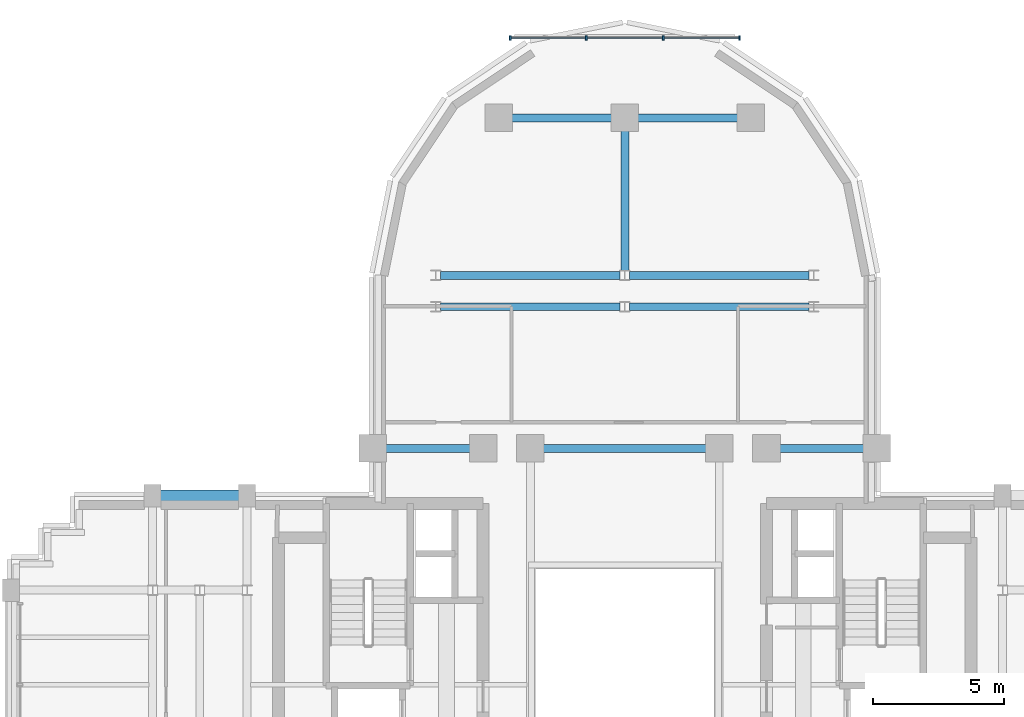
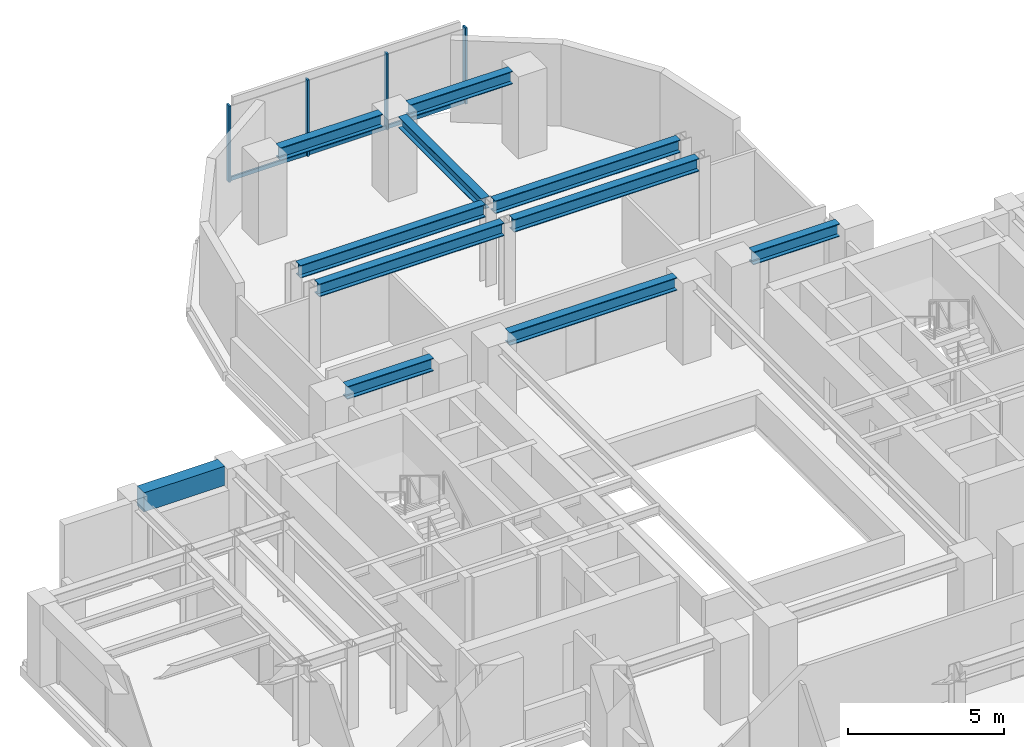
# One storey, part 6 of 13: 11 beams, 7 members, 1 element without a shape of its own.
"""IFC4 building model written with IfcOpenShell, lengths in metres."""

from ifc_helpers import new_model, si_unit, direction, frame, origin, origin_2d, place, context, subcontext, project, spatial, rectangle, i_section, extrude, source, transform, mapped, material, material_profile, profile_set, type_object, element, aggregate, save


model = new_model("IFC4")

# Units and contexts
model_context = context("Model", 3, precision=1e-05, world=origin(), true_north=direction((0.0, 1.0)))
body_context = subcontext(model_context, "Body", "Model", "MODEL_VIEW")
ifc_project = project(units=[si_unit("LENGTHUNIT", "METRE"), si_unit("AREAUNIT", "SQUARE_METRE"), si_unit("VOLUMEUNIT", "CUBIC_METRE"), si_unit("PLANEANGLEUNIT", "RADIAN"), si_unit("MASSUNIT", "GRAM", prefix="KILO")], contexts=[model_context])

# Site, building, storey
site_placement = place(None, origin())
site = spatial("IfcSite", under=ifc_project, at=site_placement, CompositionType="ELEMENT")
building_placement = place(site_placement, origin())
building = spatial("IfcBuilding", under=site, at=building_placement, Name="Keilestroom Media Tower", CompositionType="ELEMENT")
storey_placement = place(building_placement, frame((0.0, 0.0, 138.0)))
storey = spatial("IfcBuildingStorey", under=building, at=storey_placement, Name="L37", CompositionType="ELEMENT", Elevation=138.0)

# Beams
ifc_material_1 = material(Name="Steel S355", Category="steel")
ifc_material_profile_1 = material_profile(ifc_material_1, i_section(OverallWidth=0.300048828125, OverallDepth=0.5, WebThickness=0.012451171875, FlangeThickness=0.028076171875, at=origin_2d()), Name="HEB 500")
ifc_profile_set_1 = profile_set([ifc_material_profile_1], Name="Steel S355")
beam_type_1 = type_object("IfcBeamType", Name="Primary-Structural-Girder-HEB-500", PredefinedType="BEAM", material=ifc_profile_set_1)
shared_shape_1 = source(origin(), body_context, "Body", "SweptSolid", [
    extrude(i_section(OverallWidth=0.300048828125, OverallDepth=0.5, WebThickness=0.012451171875, FlangeThickness=0.028076171875, at=origin_2d()), origin(), (0.0, 0.0, 1.0), 3.7900390625),
])
for number, where, z_axis, x_axis, name in (
    (1, (-4.294921875, 21.60009765625, 2.949951171875), (1.0, 0.0, 0.0), (0.0, 1.0, 0.0), "L37 Beam BG-6 BM-L37-EW-037"),
    (2, (0.5048828125, 21.60009765625, 2.949951171875), (1.0, 0.0, 0.0), (0.0, 1.0, 0.0), "L37 Beam BG-6 BM-L37-EW-038"),
):
    element("IfcBeam", number, at=place(storey_placement, frame(where, z_axis=z_axis, x_axis=x_axis)), inside=storey, type_object=beam_type_1, Name=name, PredefinedType="BEAM", context=body_context, shape_type="MappedRepresentation", body=[
        mapped(shared_shape_1, transform((0.0, 0.0, 0.0), x_axis=(1.0, 0.0, 0.0), y_axis=(0.0, 1.0, 0.0), z_axis=(0.0, 0.0, 1.0), scale=1.0)),
    ])
shared_shape_2 = source(origin(), body_context, "Body", "SweptSolid", [
    extrude(i_section(OverallWidth=0.300048828125, OverallDepth=0.5, WebThickness=0.012451171875, FlangeThickness=0.028076171875, at=origin_2d()), origin(), (0.0, 0.0, 1.0), 6.839111328125),
])
for number, where, z_axis, x_axis, name in (
    (3, (-7.01953125, 14.39990234375, 2.949951171875), (1.0, 0.0, 0.0), (0.0, 1.0, 0.0), "L37 Beam BG-6 BM-L37-EW-033"),
    (4, (0.180419921875, 14.39990234375, 2.949951171875), (1.0, 0.0, 0.0), (0.0, 1.0, 0.0), "L37 Beam BG-6 BM-L37-EW-034"),
    (5, (-7.01953125, 15.60009765625, 2.949951171875), (1.0, 0.0, 0.0), (0.0, 1.0, 0.0), "L37 Beam BG-6 BM-L37-EW-035"),
    (6, (0.180419921875, 15.60009765625, 2.949951171875), (1.0, 0.0, 0.0), (0.0, 1.0, 0.0), "L37 Beam BG-6 BM-L37-EW-036"),
):
    element("IfcBeam", number, at=place(storey_placement, frame(where, z_axis=z_axis, x_axis=x_axis)), inside=storey, type_object=beam_type_1, Name=name, PredefinedType="BEAM", context=body_context, shape_type="MappedRepresentation", body=[
        mapped(shared_shape_2, transform((0.0, 0.0, 0.0), x_axis=(1.0, 0.0, 0.0), y_axis=(0.0, 1.0, 0.0), z_axis=(0.0, 0.0, 1.0), scale=1.0)),
    ])
shared_shape_3 = source(origin(), body_context, "Body", "SweptSolid", [
    extrude(i_section(OverallWidth=0.300048828125, OverallDepth=0.5, WebThickness=0.012451171875, FlangeThickness=0.028076171875, at=origin_2d()), origin(), (0.0, 0.0, 1.0), 3.18994140625),
])
for number, where, z_axis, x_axis, name in (
    (7, (-9.094970703125, 9.0, 2.949951171875), (1.0, 0.0, 0.0), (0.0, 1.0, 0.0), "L37 Beam BG-6 BM-L37-EW-028"),
    (8, (5.905029296875, 9.0, 2.949951171875), (1.0, 0.0, 0.0), (0.0, 1.0, 0.0), "L37 Beam BG-6 BM-L37-EW-032"),
):
    element("IfcBeam", number, at=place(storey_placement, frame(where, z_axis=z_axis, x_axis=x_axis)), inside=storey, type_object=beam_type_1, Name=name, PredefinedType="BEAM", context=body_context, shape_type="MappedRepresentation", body=[
        mapped(shared_shape_3, transform((0.0, 0.0, 0.0), x_axis=(1.0, 0.0, 0.0), y_axis=(0.0, 1.0, 0.0), z_axis=(0.0, 0.0, 1.0), scale=1.0)),
    ])
shared_shape_4 = source(origin(), body_context, "Body", "SweptSolid", [
    extrude(i_section(OverallWidth=0.300048828125, OverallDepth=0.5, WebThickness=0.012451171875, FlangeThickness=0.028076171875, at=origin_2d()), origin(), (0.0, 0.0, 1.0), 6.18994140625),
])
beam_1_placement = place(storey_placement, frame((-3.094970703125, 9.0, 2.949951171875), z_axis=(1.0, 0.0, 0.0), x_axis=(0.0, 1.0, 0.0)))
element("IfcBeam", 9, at=beam_1_placement, inside=storey, type_object=beam_type_1, Name="L37 Beam BG-6 BM-L37-EW-030", PredefinedType="BEAM", context=body_context, shape_type="MappedRepresentation", body=[
    mapped(shared_shape_4, transform((0.0, 0.0, 0.0), x_axis=(1.0, 0.0, 0.0), y_axis=(0.0, 1.0, 0.0), z_axis=(0.0, 0.0, 1.0), scale=1.0)),
])
ifc_material_2 = material(Name="Precast concrete C40/50", Category="concrete")
ifc_material_profile_2 = material_profile(ifc_material_2, rectangle(XDim=0.449951171875, YDim=0.75, at=origin_2d()), Name="PC 450x750")
ifc_profile_set_2 = profile_set([ifc_material_profile_2], Name="Precast concrete C40/50")
beam_type_2 = type_object("IfcBeamType", Name="Perimeter-Spandrel-Beam-PC-450x750", PredefinedType="SPANDREL", material=ifc_profile_set_2)
shared_shape_5 = source(origin(), body_context, "Body", "SweptSolid", [
    extrude(rectangle(XDim=0.449951171875, YDim=0.75, at=origin_2d()), origin(), (0.0, 0.0, 1.0), 2.989990234375),
])
beam_2_placement = place(storey_placement, frame((-17.695068359375, 7.199951171875, 2.824951171875), z_axis=(1.0, 0.0, 0.0), x_axis=(0.0, 1.0, 0.0)))
element("IfcBeam", 10, at=beam_2_placement, inside=storey, type_object=beam_type_2, Name="L37 Beam SPB-1 BM-L37-EW-026", PredefinedType="SPANDREL", context=body_context, shape_type="MappedRepresentation", body=[
    mapped(shared_shape_5, transform((0.0, 0.0, 0.0), x_axis=(1.0, 0.0, 0.0), y_axis=(0.0, 1.0, 0.0), z_axis=(0.0, 0.0, 1.0), scale=1.0)),
])
ifc_material_profile_3 = material_profile(ifc_material_1, i_section(OverallWidth=0.300048828125, OverallDepth=0.43994140625, WebThickness=0.011474609375, FlangeThickness=0.02099609375, at=origin_2d()), Name="HEA 450")
ifc_profile_set_3 = profile_set([ifc_material_profile_3], Name="Steel S355")
beam_type_3 = type_object("IfcBeamType", Name="Primary-Structural-Girder-HEA-450", PredefinedType="BEAM", material=ifc_profile_set_3)
shared_shape_6 = source(origin(), body_context, "Body", "SweptSolid", [
    extrude(i_section(OverallWidth=0.300048828125, OverallDepth=0.43994140625, WebThickness=0.011474609375, FlangeThickness=0.02099609375, at=origin_2d()), origin(), (0.0, 0.0, 1.0), 5.3154296875),
])
beam_3_placement = place(storey_placement, frame((0.0, 15.779541015625, 2.97998046875), z_axis=(0.0, 1.0, 0.0), x_axis=(-1.0, 0.0, 0.0)))
element("IfcBeam", 11, at=beam_3_placement, inside=storey, type_object=beam_type_3, Name="L37 Beam BG-11 BM-L37-NS-055", PredefinedType="BEAM", context=body_context, shape_type="MappedRepresentation", body=[
    mapped(shared_shape_6, transform((0.0, 0.0, 0.0), x_axis=(1.0, 0.0, 0.0), y_axis=(0.0, 1.0, 0.0), z_axis=(0.0, 0.0, 1.0), scale=1.0)),
])

# Curtain wall, members
ifc_material_3 = material(Name="Anodised Aluminium Alloy", Category="aluminium")
curtain_wall_type = type_object("IfcCurtainWallType", Name="Unitised-Curtain-Wall-CW-6", PredefinedType="NOTDEFINED", material=ifc_material_3)
curtain_wall_placement = place(storey_placement, origin())
curtain_wall = element("IfcCurtainWall", 12, at=curtain_wall_placement, inside=storey, type_object=curtain_wall_type, Name="L37 Curtain Wall CW-6 CW-L37-LN-1", PredefinedType="NOTDEFINED")
ifc_material_profile_4 = material_profile(ifc_material_3, rectangle(XDim=0.06494140625, YDim=0.179931640625, at=origin_2d()), Name="ALU MULLION 65x180")
ifc_profile_set_4 = profile_set([ifc_material_profile_4], Name="Anodised Aluminium Alloy")
member_type_1 = type_object("IfcMemberType", Name="Curtain-Wall-Mullion-CW-6", PredefinedType="MULLION", material=ifc_profile_set_4)
shared_shape_7 = source(origin(), body_context, "Body", "SweptSolid", [
    extrude(rectangle(XDim=0.06494140625, YDim=0.179931640625, at=origin_2d()), origin(), (0.0, 0.0, 1.0), 2.97998046875),
])
member_1_placement = place(storey_placement, frame((-4.367431640625, 24.64990234375, 0.0), z_axis=(0.0, 0.0, 1.0), x_axis=(1.0, 0.0, 0.0)))
member_1 = element("IfcMember", 13, at=member_1_placement, type_object=member_type_1, Name="CW-6 Mullion 00", PredefinedType="MULLION", context=body_context, shape_type="MappedRepresentation", body=[
    mapped(shared_shape_7, transform((0.0, 0.0, 0.0), x_axis=(1.0, 0.0, 0.0), y_axis=(0.0, 1.0, 0.0), z_axis=(0.0, 0.0, 1.0), scale=1.0)),
])
member_2_placement = place(storey_placement, frame((-1.466796875, 24.64990234375, 0.0), z_axis=(0.0, 0.0, 1.0), x_axis=(1.0, 0.0, 0.0)))
member_2 = element("IfcMember", 14, at=member_2_placement, type_object=member_type_1, Name="CW-6 Mullion 01", PredefinedType="MULLION", context=body_context, shape_type="MappedRepresentation", body=[
    mapped(shared_shape_7, transform((0.0, 0.0, 0.0), x_axis=(1.0, 0.0, 0.0), y_axis=(0.0, 1.0, 0.0), z_axis=(0.0, 0.0, 1.0), scale=1.0)),
])
member_3_placement = place(storey_placement, frame((1.466796875, 24.64990234375, 0.0), z_axis=(0.0, 0.0, 1.0), x_axis=(1.0, 0.0, 0.0)))
member_3 = element("IfcMember", 15, at=member_3_placement, type_object=member_type_1, Name="CW-6 Mullion 02", PredefinedType="MULLION", context=body_context, shape_type="MappedRepresentation", body=[
    mapped(shared_shape_7, transform((0.0, 0.0, 0.0), x_axis=(1.0, 0.0, 0.0), y_axis=(0.0, 1.0, 0.0), z_axis=(0.0, 0.0, 1.0), scale=1.0)),
])
member_4_placement = place(storey_placement, frame((4.367431640625, 24.64990234375, 0.0), z_axis=(0.0, 0.0, 1.0), x_axis=(1.0, 0.0, 0.0)))
member_4 = element("IfcMember", 16, at=member_4_placement, type_object=member_type_1, Name="CW-6 Mullion 03", PredefinedType="MULLION", context=body_context, shape_type="MappedRepresentation", body=[
    mapped(shared_shape_7, transform((0.0, 0.0, 0.0), x_axis=(1.0, 0.0, 0.0), y_axis=(0.0, 1.0, 0.0), z_axis=(0.0, 0.0, 1.0), scale=1.0)),
])
ifc_material_profile_5 = material_profile(ifc_material_3, rectangle(XDim=0.06494140625, YDim=0.14990234375, at=origin_2d()), Name="ALU TRANSOM 65x150")
ifc_profile_set_5 = profile_set([ifc_material_profile_5], Name="Anodised Aluminium Alloy")
member_type_2 = type_object("IfcMemberType", Name="Curtain-Wall-Transom-CW-6", PredefinedType="USERDEFINED", material=ifc_profile_set_5)
shared_shape_8 = source(origin(), body_context, "Body", "SweptSolid", [
    extrude(rectangle(XDim=0.06494140625, YDim=0.14990234375, at=origin_2d()), origin(), (0.0, 0.0, 1.0), 2.839599609375),
])
member_5_placement = place(storey_placement, frame((-4.3369140625, 24.64990234375, 0.074951171875), z_axis=(1.0, 0.0, 0.0), x_axis=(0.0, 1.0, 0.0)))
member_5 = element("IfcMember", 17, at=member_5_placement, type_object=member_type_2, Name="CW-6 Transom 00.1", ObjectType="TRANSOM", PredefinedType="USERDEFINED", context=body_context, shape_type="MappedRepresentation", body=[
    mapped(shared_shape_8, transform((0.0, 0.0, 0.0), x_axis=(1.0, 0.0, 0.0), y_axis=(0.0, 1.0, 0.0), z_axis=(0.0, 0.0, 1.0), scale=1.0)),
])
member_6_placement = place(storey_placement, frame((1.497314453125, 24.64990234375, 0.074951171875), z_axis=(1.0, 0.0, 0.0), x_axis=(0.0, 1.0, 0.0)))
member_6 = element("IfcMember", 18, at=member_6_placement, type_object=member_type_2, Name="CW-6 Transom 02.1", ObjectType="TRANSOM", PredefinedType="USERDEFINED", context=body_context, shape_type="MappedRepresentation", body=[
    mapped(shared_shape_8, transform((0.0, 0.0, 0.0), x_axis=(1.0, 0.0, 0.0), y_axis=(0.0, 1.0, 0.0), z_axis=(0.0, 0.0, 1.0), scale=1.0)),
])
shared_shape_9 = source(origin(), body_context, "Body", "SweptSolid", [
    extrude(rectangle(XDim=0.06494140625, YDim=0.14990234375, at=origin_2d()), origin(), (0.0, 0.0, 1.0), 2.87255859375),
])
member_7_placement = place(storey_placement, frame((-1.436279296875, 24.64990234375, 0.074951171875), z_axis=(1.0, 0.0, 0.0), x_axis=(0.0, 1.0, 0.0)))
member_7 = element("IfcMember", 19, at=member_7_placement, type_object=member_type_2, Name="CW-6 Transom 01.1", ObjectType="TRANSOM", PredefinedType="USERDEFINED", context=body_context, shape_type="MappedRepresentation", body=[
    mapped(shared_shape_9, transform((0.0, 0.0, 0.0), x_axis=(1.0, 0.0, 0.0), y_axis=(0.0, 1.0, 0.0), z_axis=(0.0, 0.0, 1.0), scale=1.0)),
])
aggregate(curtain_wall, [member_1, member_2, member_3, member_4, member_5, member_7, member_6])

save(model, "model.ifc")
